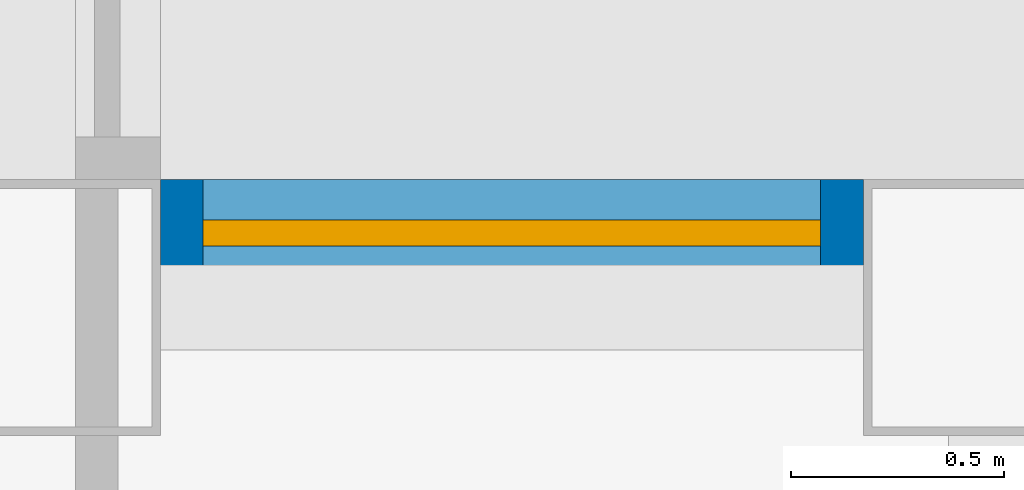
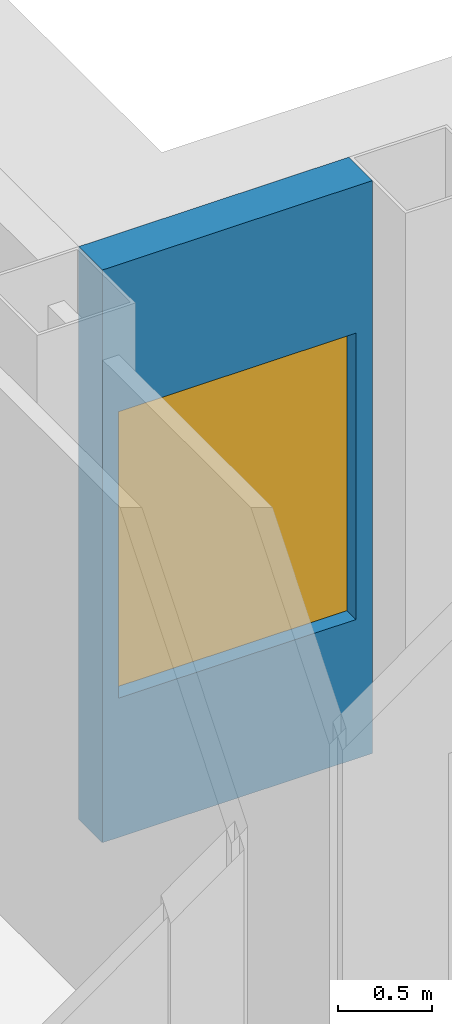
# One storey, part 7 of 12: 1 wall, 1 window, 1 opening.
"""IFC4 building model written with IfcOpenShell, lengths in metres."""

from ifc_helpers import new_model, si_unit, direction, frame, frame_2d, origin, place, context, subcontext, project, spatial, rectangle, extrude, material, layer, layer_set, type_object, element, fill, save


model = new_model("IFC4")

# Units and contexts
model_context = context("Model", 3, precision=1e-05, world=origin(), true_north=direction((0.0, 1.0)))
body_context = subcontext(model_context, "Body", "Model", "MODEL_VIEW")
ifc_project = project(units=[si_unit("LENGTHUNIT", "METRE"), si_unit("AREAUNIT", "SQUARE_METRE"), si_unit("VOLUMEUNIT", "CUBIC_METRE"), si_unit("PLANEANGLEUNIT", "RADIAN"), si_unit("MASSUNIT", "GRAM", prefix="KILO")], contexts=[model_context])

# Site, building, storey
site_placement = place(None, origin())
site = spatial("IfcSite", under=ifc_project, at=site_placement, CompositionType="ELEMENT")
building_placement = place(site_placement, origin())
building = spatial("IfcBuilding", under=site, at=building_placement, Name="Caravel Reach Hotel and Residences", CompositionType="ELEMENT")
storey_placement = place(building_placement, frame((0.0, 0.0, 245.300048828125)))
storey = spatial("IfcBuildingStorey", under=building, at=storey_placement, Name="L62", CompositionType="ELEMENT", Elevation=245.300048828125)

# Wall, opening, window
ifc_material_1 = material(Name="Insulated rainscreen wall, aluminium cladding", Category="aluminium")
ifc_layer = layer(ifc_material_1, 0.25)
ifc_layer_set = layer_set([ifc_layer], Name="EW1 Tower rainscreen wall")
wall_type = type_object("IfcWallType", Name="EW1 Tower rainscreen wall", PredefinedType="SOLIDWALL", material=ifc_layer_set)
wall_placement = place(storey_placement, frame((49.199951171875, 36.175048828125, 0.0), z_axis=(0.0, 0.0, 1.0), x_axis=(-1.0, 0.0, 0.0)))
wall = element("IfcWall", 1, at=wall_placement, inside=storey, type_object=wall_type, Name="External wall L62 N10.1", PredefinedType="SOLIDWALL", context=body_context, shape_type="SweptSolid", body=[
    extrude(rectangle(XDim=1.64990234375, YDim=0.25, at=frame_2d((0.824951171875, 0.0))), origin(), (0.0, 0.0, 1.0), 3.699951171875),
])
opening_placement = place(wall_placement, frame((0.10009765625, 0.0, 0.89990234375)))
opening = element("IfcOpeningElement", 2, at=opening_placement, cuts=wall, Name="Opening WN25", PredefinedType="OPENING", context=body_context, shape_type="SweptSolid", body=[
    extrude(rectangle(XDim=1.449951171875, YDim=1.85009765625, at=frame_2d((0.72509765625, 0.925048828125))), frame((0.0, 0.135009765625, 0.0), z_axis=(0.0, -1.0, 0.0), x_axis=(1.0, 0.0, 0.0)), (0.0, 0.0, 1.0), 0.27001953125),
])
ifc_material_2 = material(Name="Dark low-e glazing in black aluminium frame", Category="aluminium")
window_type = type_object("IfcWindowType", Name="Residence bedroom window 1450 x 1850", PartitioningType="SINGLE_PANEL", PredefinedType="WINDOW", material=ifc_material_2)
window_placement = place(opening_placement, origin())
window = element("IfcWindow", 3, at=window_placement, inside=storey, type_object=window_type, Name="Window L62 N10.1.1", OverallHeight=1.85009765625, OverallWidth=1.449951171875, PartitioningType="SINGLE_PANEL", PredefinedType="WINDOW", context=body_context, shape_type="SweptSolid", body=[
    extrude(rectangle(XDim=1.449951171875, YDim=1.85009765625, at=frame_2d((0.72509765625, 0.925048828125))), frame((0.0, 0.030029296875, 0.0), z_axis=(0.0, -1.0, 0.0), x_axis=(1.0, 0.0, 0.0)), (0.0, 0.0, 1.0), 0.06005859375),
])
fill(opening, window)

save(model, "model.ifc")
